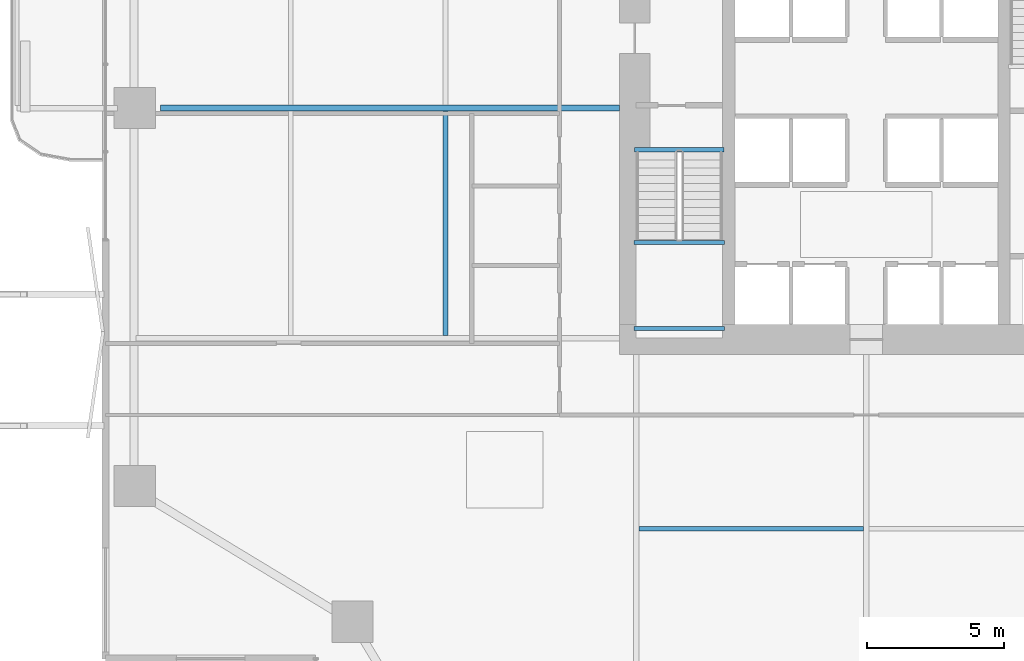
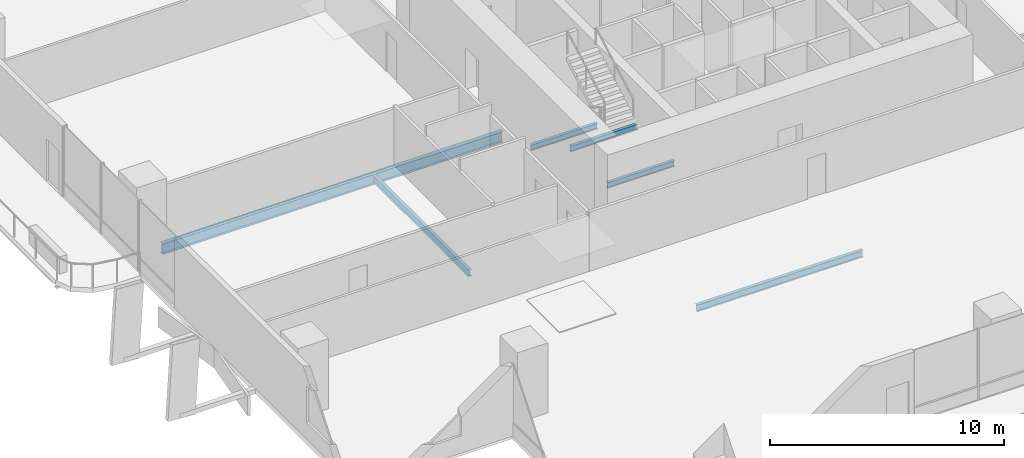
# One storey, part 7 of 30: 6 beams.
"""IFC4 building model written with IfcOpenShell, lengths in metres."""

from ifc_helpers import new_model, si_unit, direction, frame, origin, origin_2d, place, context, subcontext, project, spatial, i_section, extrude, material, material_profile, profile_set, type_object, element, save


model = new_model("IFC4")

# Units and contexts
model_context = context("Model", 3, precision=1e-05, world=origin(), true_north=direction((0.0, 1.0)))
body_context = subcontext(model_context, "Body", "Model", "MODEL_VIEW")
ifc_project = project(units=[si_unit("LENGTHUNIT", "METRE"), si_unit("AREAUNIT", "SQUARE_METRE"), si_unit("VOLUMEUNIT", "CUBIC_METRE"), si_unit("PLANEANGLEUNIT", "RADIAN"), si_unit("MASSUNIT", "GRAM", prefix="KILO")], contexts=[model_context])

# Site, building, storey
site_placement = place(None, origin())
site = spatial("IfcSite", under=ifc_project, at=site_placement, CompositionType="ELEMENT")
building_placement = place(site_placement, origin())
building = spatial("IfcBuilding", under=site, at=building_placement, Name="Belovzor Exchange Tower", CompositionType="ELEMENT")
storey_placement = place(building_placement, frame((0.0, 0.0, 30.0)))
storey = spatial("IfcBuildingStorey", under=building, at=storey_placement, Name="L06", CompositionType="ELEMENT", Elevation=30.0)

# Beams
ifc_material_1 = material(Name="Steel S355", Category="steel")
ifc_material_profile_1 = material_profile(ifc_material_1, i_section(OverallWidth=0.169921875, OverallDepth=0.360107421875, WebThickness=0.008056640625, FlangeThickness=0.0126953125, at=origin_2d()))
ifc_profile_set_1 = profile_set([ifc_material_profile_1], Name="Steel S355")
beam_type_1 = type_object("IfcBeamType", Name="Secondary Infill Floor Joist IPE 360", PredefinedType="BEAM", material=ifc_profile_set_1)
for number, where, z_axis, x_axis, name in (
    (1, (20.5048828125, 13.444091796875, -0.429931640625), (1.0, 0.0, 0.0), (0.0, 1.0, 0.0), "FJ-360 Secondary Infill Floor Joist IPE 360"),
    (2, (13.444091796875, 20.5048828125, -0.429931640625), (0.0, 1.0, 0.0), (-1.0, 0.0, 0.0), "FJ-360 Secondary Infill Floor Joist IPE 360"),
):
    element("IfcBeam", number, at=place(storey_placement, frame(where, z_axis=z_axis, x_axis=x_axis)), inside=storey, type_object=beam_type_1, Name=name, PredefinedType="BEAM", context=body_context, shape_type="SweptSolid", body=[
        extrude(i_section(OverallWidth=0.169921875, OverallDepth=0.360107421875, WebThickness=0.008056640625, FlangeThickness=0.0126953125, at=origin_2d()), origin(), (0.0, 0.0, 1.0), 8.190185546875),
    ])
ifc_material_2 = material(Name="Steel S355", Category="steel")
ifc_material_profile_2 = material_profile(ifc_material_2, i_section(OverallWidth=0.14990234375, OverallDepth=0.300048828125, WebThickness=0.007080078125, FlangeThickness=0.0107421875, at=origin_2d()))
ifc_profile_set_2 = profile_set([ifc_material_profile_2], Name="Steel S355")
beam_type_2 = type_object("IfcBeamType", Name="Secondary Trim Floor Joist IPE 300", PredefinedType="BEAM", material=ifc_profile_set_2)
for number, where, z_axis, x_axis, name in (
    (3, (20.320068359375, 23.889892578125, 1.60009765625), (1.0, 0.0, 0.0), (0.0, 1.0, 0.0), "FJ-300 Secondary Trim Floor Joist IPE 300"),
    (4, (20.320068359375, 20.75, 1.60009765625), (1.0, 0.0, 0.0), (0.0, 1.0, 0.0), "FJ-300 Secondary Trim Floor Joist IPE 300"),
):
    element("IfcBeam", number, at=place(storey_placement, frame(where, z_axis=z_axis, x_axis=x_axis)), inside=storey, type_object=beam_type_2, Name=name, PredefinedType="BEAM", context=body_context, shape_type="SweptSolid", body=[
        extrude(i_section(OverallWidth=0.14990234375, OverallDepth=0.300048828125, WebThickness=0.007080078125, FlangeThickness=0.0107421875, at=origin_2d()), origin(), (0.0, 0.0, 1.0), 3.309814453125),
    ])
beam_1_placement = place(storey_placement, frame((20.340087890625, 27.280029296875, -0.39990234375), z_axis=(1.0, 0.0, 0.0), x_axis=(0.0, 1.0, 0.0)))
element("IfcBeam", 5, at=beam_1_placement, inside=storey, type_object=beam_type_2, Name="FJ-300 Secondary Trim Floor Joist IPE 300", PredefinedType="BEAM", context=body_context, shape_type="SweptSolid", body=[
    extrude(i_section(OverallWidth=0.14990234375, OverallDepth=0.300048828125, WebThickness=0.007080078125, FlangeThickness=0.0107421875, at=origin_2d()), origin(), (0.0, 0.0, 1.0), 3.27001953125),
])
ifc_material_3 = material(Name="Steel S355", Category="steel")
ifc_material_profile_3 = material_profile(ifc_material_3, i_section(OverallWidth=0.2099609375, OverallDepth=0.550048828125, WebThickness=0.010986328125, FlangeThickness=0.01708984375, at=origin_2d()))
ifc_profile_set_3 = profile_set([ifc_material_profile_3], Name="Steel S355")
beam_type_3 = type_object("IfcBeamType", Name="Zone 1 Radial Composite Floor Beam IPE 550", PredefinedType="BEAM", material=ifc_profile_set_3)
beam_2_placement = place(storey_placement, frame((19.800048828125, 28.800048828125, -0.52490234375), z_axis=(-1.0, 0.0, 0.0), x_axis=(0.0, -1.0, 0.0)))
element("IfcBeam", 6, at=beam_2_placement, inside=storey, type_object=beam_type_3, Name="FB-550 Zone 1 Radial Composite Floor Beam IPE 550", PredefinedType="BEAM", context=body_context, shape_type="SweptSolid", body=[
    extrude(i_section(OverallWidth=0.2099609375, OverallDepth=0.550048828125, WebThickness=0.010986328125, FlangeThickness=0.01708984375, at=origin_2d()), origin(), (0.0, 0.0, 1.0), 16.758056640625),
])

save(model, "model.ifc")
